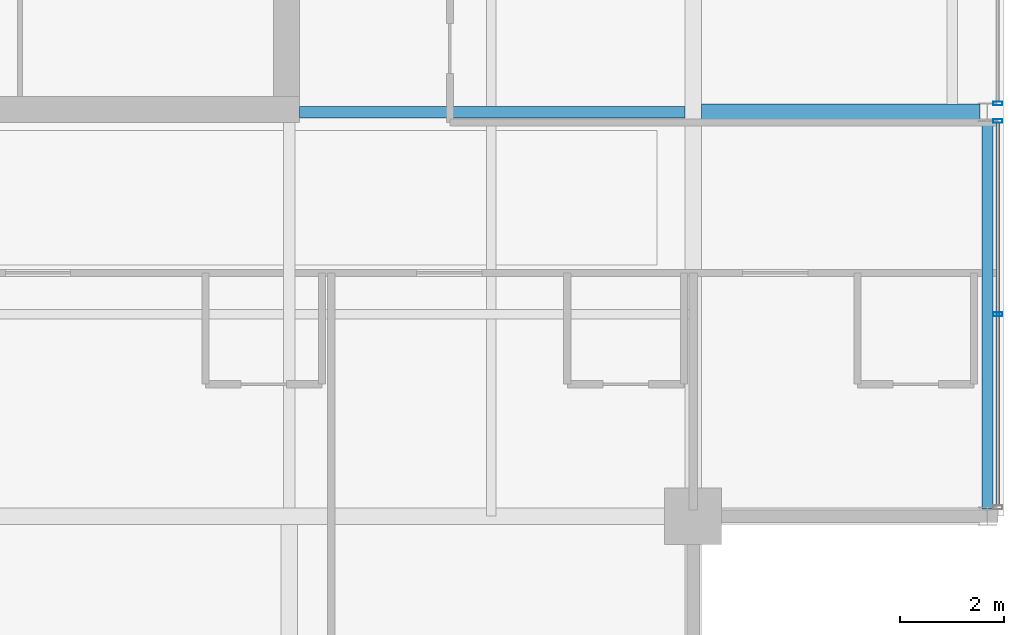
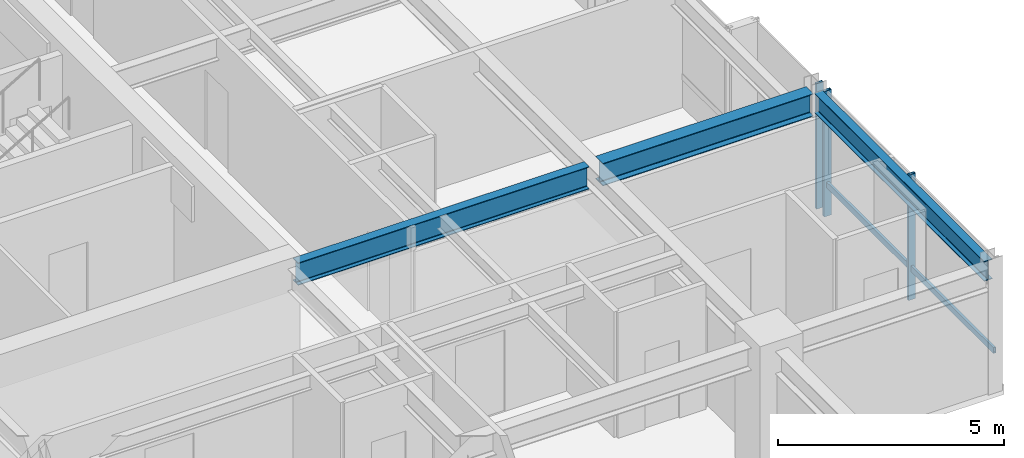
# One storey, part 16 of 34: 4 members, 3 beams, 2 elements without a shape of their own.
"""IFC4 building model written with IfcOpenShell, lengths in metres."""

import ifcopenshell
import ifcopenshell.guid

model = None  # the IFC model being written
_history = None  # IfcOwnerHistory: only IFC2X3 demands one
_inside = {}  # id of a spatial element -> (the spatial element, [elements in it])
_under = {}  # id of a project, library or spatial element -> (it, [spatial elements below it])
_declared = {}  # id of a project -> (the project, [libraries it declares])
_typed = {}  # id of a type object -> (the type object, [elements of that type])
_made_of = {}  # id of a material, layer set ... -> (it, [elements and type objects made of it])


def new_model(schema):
    """Start an empty IFC model of exactly this schema.

    Asked for "IFC4X3", IfcOpenShell would pick the latest addendum, in which some entities
    have other attributes; the version numbers below select the first issue.
    IFC2X3 requires an IfcOwnerHistory on every rooted entity: one is made here for all.
    """
    global model, _history
    if schema == "IFC4X3":
        model = ifcopenshell.file(schema_version=(4, 3, 0, 0))
    else:
        model = ifcopenshell.file(schema=schema)
    _inside.clear()
    _under.clear()
    _declared.clear()
    _typed.clear()
    _made_of.clear()
    _history = None
    if model.schema == "IFC2X3":
        org = make("IfcOrganization", Name="unknown")
        user = make(
            "IfcPersonAndOrganization",
            ThePerson=make("IfcPerson", FamilyName="unknown"),
            TheOrganization=org,
        )
        app = make(
            "IfcApplication",
            ApplicationDeveloper=org,
            Version="unknown",
            ApplicationFullName="unknown",
            ApplicationIdentifier="unknown",
        )
        _history = make(
            "IfcOwnerHistory",
            OwningUser=user,
            OwningApplication=app,
            ChangeAction="ADDED",
            CreationDate=0,
        )
    return model


def make(cls, **values):
    """One entity of the class cls with the attributes given. An attribute that is None is left unset."""
    return model.create_entity(
        cls, **{name: value for name, value in values.items() if value is not None}
    )


def rooted(cls, **values):
    """An entity with a GlobalId (a new one), such as an element, a storey or a relation."""
    return make(cls, GlobalId=ifcopenshell.guid.new(), OwnerHistory=_history, **values)


def si_unit(unit_type, name, prefix=None):
    """IfcSIUnit, for example si_unit("LENGTHUNIT", "METRE", prefix="MILLI")."""
    return make("IfcSIUnit", UnitType=unit_type, Prefix=prefix, Name=name)


def assignment(units):
    """IfcUnitAssignment: the units of a project."""
    return None if units is None else make("IfcUnitAssignment", Units=units)


def point(xyz):
    """IfcCartesianPoint."""
    return None if xyz is None else make("IfcCartesianPoint", Coordinates=xyz)


def direction(xyz):
    """IfcDirection."""
    return None if xyz is None else make("IfcDirection", DirectionRatios=xyz)


def frame(location, z_axis=None, x_axis=None):
    """IfcAxis2Placement3D, a coordinate frame: its origin and axes. An axis left out is left unset."""
    return make(
        "IfcAxis2Placement3D",
        Location=point(location),
        Axis=direction(z_axis),
        RefDirection=direction(x_axis),
    )


def frame_2d(location, x_axis=None):
    """IfcAxis2Placement2D, a coordinate frame in the plane: its origin and x axis."""
    return make(
        "IfcAxis2Placement2D", Location=point(location), RefDirection=direction(x_axis)
    )


def origin():
    """The frame at (0, 0, 0) with its axes left unset."""
    return frame((0.0, 0.0, 0.0))


def origin_2d():
    """The frame at (0, 0) in the plane with its x axis left unset."""
    return frame_2d((0.0, 0.0))


def place(relative_to, where):
    """IfcLocalPlacement: puts the frame where relative to a parent placement (None: the world)."""
    return make(
        "IfcLocalPlacement", PlacementRelTo=relative_to, RelativePlacement=where
    )


def context(
    kind, dimensions, precision=None, world=None, true_north=None, identifier=None
):
    """IfcGeometricRepresentationContext, for example the 3D "Model" context."""
    return make(
        "IfcGeometricRepresentationContext",
        ContextIdentifier=identifier,
        ContextType=kind,
        CoordinateSpaceDimension=dimensions,
        Precision=precision,
        WorldCoordinateSystem=world,
        TrueNorth=true_north,
    )


def subcontext(parent, identifier, kind, view, scale=None):
    """IfcGeometricRepresentationSubContext, for example "Body" below "Model"."""
    return make(
        "IfcGeometricRepresentationSubContext",
        ContextIdentifier=identifier,
        ContextType=kind,
        ParentContext=parent,
        TargetScale=scale,
        TargetView=view,
    )


def project(units=None, contexts=None):
    """IfcProject with its units and contexts."""
    return rooted(
        "IfcProject",
        Name="project",
        RepresentationContexts=contexts,
        UnitsInContext=assignment(units),
    )


def spatial(cls, under=None, at=None, **own):
    """A site, building, storey or space (cls), placed at a placement, below another one or the project."""
    s = rooted(cls, ObjectPlacement=at, **own)
    if under is not None:
        _under.setdefault(under.id(), (under, []))[1].append(s)
    return s


def profile(cls, at=None, kind="AREA", **sizes):
    """A parametric profile (cls). Its sizes go by their IFC names, for example OverallWidth=200.0."""
    return make(cls, ProfileType=kind, Position=at, **sizes)


def hollow_rectangle(**sizes):
    """IfcRectangleHollowProfileDef."""
    return profile("IfcRectangleHollowProfileDef", **sizes)


def i_section(**sizes):
    """IfcIShapeProfileDef."""
    return profile("IfcIShapeProfileDef", **sizes)


def extrude(swept, where, along, depth):
    """IfcExtrudedAreaSolid: the profile swept, set in the frame where, extruded along a direction by depth."""
    return make(
        "IfcExtrudedAreaSolid",
        SweptArea=swept,
        Position=where,
        ExtrudedDirection=direction(along),
        Depth=depth,
    )


def shape(context_of_items, identifier, shape_type, items):
    """IfcShapeRepresentation: the items that make up one representation, for example the "Body"."""
    return make(
        "IfcShapeRepresentation",
        ContextOfItems=context_of_items,
        RepresentationIdentifier=identifier,
        RepresentationType=shape_type,
        Items=items,
    )


def material(Name=None, Category=None):
    """IfcMaterial."""
    return make("IfcMaterial", Name=Name, Category=Category)


def layer(
    of_material, thickness, ventilated=None, Name=None, Category=None, Priority=None
):
    """IfcMaterialLayer: one layer of a wall or slab, of a material (None: an air gap)."""
    return make(
        "IfcMaterialLayer",
        Material=of_material,
        LayerThickness=thickness,
        IsVentilated=ventilated,
        Name=Name,
        Category=Category,
        Priority=Priority,
    )


def layer_set(layers, Name=None):
    """IfcMaterialLayerSet."""
    return make("IfcMaterialLayerSet", MaterialLayers=layers, LayerSetName=Name)


def material_profile(
    of_material, cross_section, Name=None, Category=None, Priority=None
):
    """IfcMaterialProfile: a cross section and its material."""
    return make(
        "IfcMaterialProfile",
        Name=Name,
        Material=of_material,
        Profile=cross_section,
        Priority=Priority,
        Category=Category,
    )


def profile_set(profiles, Name=None, composite=None):
    """IfcMaterialProfileSet."""
    return make(
        "IfcMaterialProfileSet",
        Name=Name,
        MaterialProfiles=profiles,
        CompositeProfile=composite,
    )


def made_of(thing, what):
    """Note that an element or type object is made of a material, layer set ...; save() writes the relation."""
    if what is not None:
        _made_of.setdefault(what.id(), (what, []))[1].append(thing)
    return thing


def type_object(cls, material=None, **own):
    """A type object (cls), such as IfcWallType, which elements share."""
    return made_of(rooted(cls, **own), material)


def element(
    cls,
    number,
    at=None,
    inside=None,
    cuts=None,
    type_object=None,
    material=None,
    context=None,
    identifier="Body",
    shape_type=None,
    held_by="IfcProductDefinitionShape",
    body=None,
    shapes=None,
    **own,
):
    """One element of the class cls, such as IfcWall. Its Tag is "e" and its number.

    at: its placement. inside: the storey or other place that contains it. cuts: it is an
    opening in that element (IfcRelVoidsElement). A single representation is given by context,
    identifier, shape_type and body (its items); several are given by shapes. held_by: the class
    of the entity that holds the representations. save() writes the other relations.
    """
    e = rooted(cls, Tag="e%d" % number, ObjectPlacement=at, **own)
    if body is not None:
        shapes = [shape(context, identifier, shape_type, body)]
    if shapes is not None:
        e.Representation = make(held_by, Representations=shapes)
    if inside is not None:
        _inside.setdefault(inside.id(), (inside, []))[1].append(e)
    if cuts is not None:
        rooted(
            "IfcRelVoidsElement", RelatingBuildingElement=cuts, RelatedOpeningElement=e
        )
    if type_object is not None:
        _typed.setdefault(type_object.id(), (type_object, []))[1].append(e)
    return made_of(e, material)


def aggregate(whole, parts):
    """IfcRelAggregates: a whole, such as a stair, and the parts it consists of."""
    return rooted("IfcRelAggregates", RelatingObject=whole, RelatedObjects=parts)


def save(model, path):
    """Write the relations noted so far, then the file.

    IfcRelAggregates (storeys below a building ...), IfcRelContainedInSpatialStructure (elements
    in a storey), IfcRelDefinesByType, IfcRelAssociatesMaterial and IfcRelDeclares: one each for
    every whole, place, type object, material and project.
    """
    for whole, parts in _under.values():
        aggregate(whole, parts)
    for where, things in _inside.values():
        rooted(
            "IfcRelContainedInSpatialStructure",
            RelatedElements=things,
            RelatingStructure=where,
        )
    for kind, things in _typed.values():
        rooted("IfcRelDefinesByType", RelatedObjects=things, RelatingType=kind)
    for what, things in _made_of.values():
        rooted("IfcRelAssociatesMaterial", RelatedObjects=things, RelatingMaterial=what)
    for by, libraries in _declared.values():
        rooted("IfcRelDeclares", RelatingContext=by, RelatedDefinitions=libraries)
    model.write(path)


model = new_model("IFC4")

# Units and contexts
model_context = context("Model", 3, precision=1e-05, world=origin(), true_north=direction((0.0, 1.0)))
body_context = subcontext(model_context, "Body", "Model", "MODEL_VIEW")
ifc_project = project(units=[si_unit("LENGTHUNIT", "METRE"), si_unit("AREAUNIT", "SQUARE_METRE"), si_unit("VOLUMEUNIT", "CUBIC_METRE"), si_unit("PLANEANGLEUNIT", "RADIAN"), si_unit("MASSUNIT", "GRAM", prefix="KILO")], contexts=[model_context])

# Site, building, storey
site_placement = place(None, origin())
site = spatial("IfcSite", under=ifc_project, at=site_placement, CompositionType="ELEMENT")
building_placement = place(site_placement, origin())
building = spatial("IfcBuilding", under=site, at=building_placement, Name="Drelvath Grand Hotel", CompositionType="ELEMENT")
storey_placement = place(building_placement, frame((0.0, 0.0, 286.89990234375)))
storey = spatial("IfcBuildingStorey", under=building, at=storey_placement, Name="L75", CompositionType="ELEMENT", Elevation=286.89990234375)

# Curtain wall, members
ifc_material_1 = material(Name="Platinum-Mist Anodised Aluminium Frame", Category="aluminium")
ifc_layer = layer(ifc_material_1, 0.199951171875)
ifc_layer_set = layer_set([ifc_layer], Name="Platinum-Mist Anodised Aluminium Frame")
curtain_wall_type = type_object("IfcCurtainWallType", Name="Stick Curtain Wall CW-05 Platinum Mist High-Rise", PredefinedType="NOTDEFINED", material=ifc_layer_set)
curtain_wall_1_placement = place(storey_placement, origin())
curtain_wall_1 = element("IfcCurtainWall", 1, at=curtain_wall_1_placement, inside=storey, type_object=curtain_wall_type, Name="L75 CW-05 Curtain Wall CW05-L75-ES1", PredefinedType="NOTDEFINED")
ifc_material_profile_1 = material_profile(ifc_material_1, hollow_rectangle(XDim=0.06494140625, YDim=0.159912109375, WallThickness=0.00390625, at=origin_2d()), Name="HSS160X65X4")
ifc_profile_set_1 = profile_set([ifc_material_profile_1], Name="Platinum-Mist Anodised Aluminium Frame")
member_type_1 = type_object("IfcMemberType", Name="Curtain Wall Horizontal Transom CW-05 HSS160X65X4", PredefinedType="USERDEFINED", material=ifc_profile_set_1)
member_1_placement = place(storey_placement, frame((22.080078125, 18.389892578125, 0.84765625), z_axis=(0.0, -1.0, 0.0), x_axis=(1.0, 0.0, 0.0)))
member_1 = element("IfcMember", 2, at=member_1_placement, type_object=member_type_1, Name="CW05-L75-ES1 Sill Transom", ObjectType="TRANSOM", PredefinedType="USERDEFINED", context=body_context, shape_type="SweptSolid", body=[
    extrude(hollow_rectangle(XDim=0.06494140625, YDim=0.159912109375, WallThickness=0.00390625, at=origin_2d()), origin(), (0.0, 0.0, 1.0), 7.3798828125),
])
ifc_material_profile_2 = material_profile(ifc_material_1, hollow_rectangle(XDim=0.074951171875, YDim=0.179931640625, WallThickness=0.0048828125, at=origin_2d()), Name="HSS180X75X5")
ifc_profile_set_2 = profile_set([ifc_material_profile_2], Name="Platinum-Mist Anodised Aluminium Frame")
member_type_2 = type_object("IfcMemberType", Name="Curtain Wall Vertical Mullion CW-05 HSS180X75X5", PredefinedType="MULLION", material=ifc_profile_set_2)
member_2_placement = place(storey_placement, frame((22.080078125, 18.429931640625, 0.0), z_axis=(0.0, 0.0, 1.0), x_axis=(0.0, 1.0, 0.0)))
member_2 = element("IfcMember", 3, at=member_2_placement, type_object=member_type_2, Name="CW05-L75-ES1 Mullion 1", PredefinedType="MULLION", context=body_context, shape_type="SweptSolid", body=[
    extrude(hollow_rectangle(XDim=0.074951171875, YDim=0.179931640625, WallThickness=0.0048828125, at=origin_2d()), origin(), (0.0, 0.0, 1.0), 3.39013671875),
])
member_3_placement = place(storey_placement, frame((22.080078125, 14.7001953125, 0.0), z_axis=(0.0, 0.0, 1.0), x_axis=(0.0, 1.0, 0.0)))
member_3 = element("IfcMember", 4, at=member_3_placement, type_object=member_type_2, Name="CW05-L75-ES1 Mullion 2", PredefinedType="MULLION", context=body_context, shape_type="SweptSolid", body=[
    extrude(hollow_rectangle(XDim=0.074951171875, YDim=0.179931640625, WallThickness=0.0048828125, at=origin_2d()), origin(), (0.0, 0.0, 1.0), 3.39013671875),
])
aggregate(curtain_wall_1, [member_2, member_3, member_1])

# Curtain wall, member
curtain_wall_2_placement = place(storey_placement, origin())
curtain_wall_2 = element("IfcCurtainWall", 5, at=curtain_wall_2_placement, inside=storey, type_object=curtain_wall_type, Name="L75 CW-05 Curtain Wall CW05-L75-ES2", PredefinedType="NOTDEFINED")
member_4_placement = place(storey_placement, frame((22.080078125, 18.77001953125, 0.0), z_axis=(0.0, 0.0, 1.0), x_axis=(0.0, 1.0, 0.0)))
member_4 = element("IfcMember", 6, at=member_4_placement, type_object=member_type_2, Name="CW05-L75-ES2 Mullion 2", PredefinedType="MULLION", context=body_context, shape_type="SweptSolid", body=[
    extrude(hollow_rectangle(XDim=0.074951171875, YDim=0.179931640625, WallThickness=0.0048828125, at=origin_2d()), origin(), (0.0, 0.0, 1.0), 3.39013671875),
])
aggregate(curtain_wall_2, [member_4])

# Beams
ifc_material_2 = material(Name="Steel ASTM A992 Gr 50", Category="steel")
ifc_material_profile_3 = material_profile(ifc_material_2, i_section(OverallWidth=0.210205078125, OverallDepth=0.53662109375, WebThickness=0.010986328125, FlangeThickness=0.017333984375, FilletRadius=0.01806640625, at=origin_2d()), Name="W21X68")
ifc_profile_set_3 = profile_set([ifc_material_profile_3], Name="Steel ASTM A992 Gr 50")
beam_type_1 = type_object("IfcBeamType", Name="Perimeter Spandrel Beam W21X68", PredefinedType="SPANDREL", material=ifc_profile_set_3)
beam_1_placement = place(storey_placement, frame((21.8798828125, 10.93994140625, 3.121826171875), z_axis=(0.0, 1.0, 0.0), x_axis=(-1.0, 0.0, 0.0)))
element("IfcBeam", 7, at=beam_1_placement, inside=storey, type_object=beam_type_1, Name="L75 Spandrel East S", PredefinedType="SPANDREL", context=body_context, shape_type="SweptSolid", body=[
    extrude(i_section(OverallWidth=0.210205078125, OverallDepth=0.53662109375, WebThickness=0.010986328125, FlangeThickness=0.017333984375, FilletRadius=0.01806640625, at=origin_2d()), origin(), (0.0, 0.0, 1.0), 7.52001953125),
])
ifc_material_profile_4 = material_profile(ifc_material_2, i_section(OverallWidth=0.323974609375, OverallDepth=0.611083984375, WebThickness=0.0126953125, FlangeThickness=0.01904296875, FilletRadius=0.02197265625, at=origin_2d()), Name="W24X104")
ifc_profile_set_4 = profile_set([ifc_material_profile_4], Name="Steel ASTM A992 Gr 50")
beam_type_2 = type_object("IfcBeamType", Name="Primary Floor Girder W24X104", PredefinedType="BEAM", material=ifc_profile_set_4)
beam_2_placement = place(storey_placement, frame((16.362060546875, 18.60009765625, 3.084716796875), z_axis=(1.0, 0.0, 0.0), x_axis=(0.0, 1.0, 0.0)))
element("IfcBeam", 8, at=beam_2_placement, inside=storey, type_object=beam_type_2, Name="L75 East Wing Girder D", PredefinedType="BEAM", context=body_context, shape_type="SweptSolid", body=[
    extrude(i_section(OverallWidth=0.323974609375, OverallDepth=0.611083984375, WebThickness=0.0126953125, FlangeThickness=0.01904296875, FilletRadius=0.02197265625, at=origin_2d()), origin(), (0.0, 0.0, 1.0), 5.3779296875),
])
ifc_material_profile_5 = material_profile(ifc_material_2, i_section(OverallWidth=0.228271484375, OverallDepth=0.607666015625, WebThickness=0.01123046875, FlangeThickness=0.017333984375, FilletRadius=0.02001953125, at=origin_2d()), Name="W24X76")
ifc_profile_set_5 = profile_set([ifc_material_profile_5], Name="Steel ASTM A992 Gr 50")
beam_type_3 = type_object("IfcBeamType", Name="Primary Floor Girder W24X76", PredefinedType="BEAM", material=ifc_profile_set_5)
beam_3_placement = place(storey_placement, frame((8.60009765625, 18.60009765625, 3.086181640625), z_axis=(1.0, 0.0, 0.0), x_axis=(0.0, 1.0, 0.0)))
element("IfcBeam", 9, at=beam_3_placement, inside=storey, type_object=beam_type_3, Name="L75 East Core Tie D", PredefinedType="BEAM", context=body_context, shape_type="SweptSolid", body=[
    extrude(i_section(OverallWidth=0.228271484375, OverallDepth=0.607666015625, WebThickness=0.01123046875, FlangeThickness=0.017333984375, FilletRadius=0.02001953125, at=origin_2d()), origin(), (0.0, 0.0, 1.0), 7.43798828125),
])

save(model, "model.ifc")
